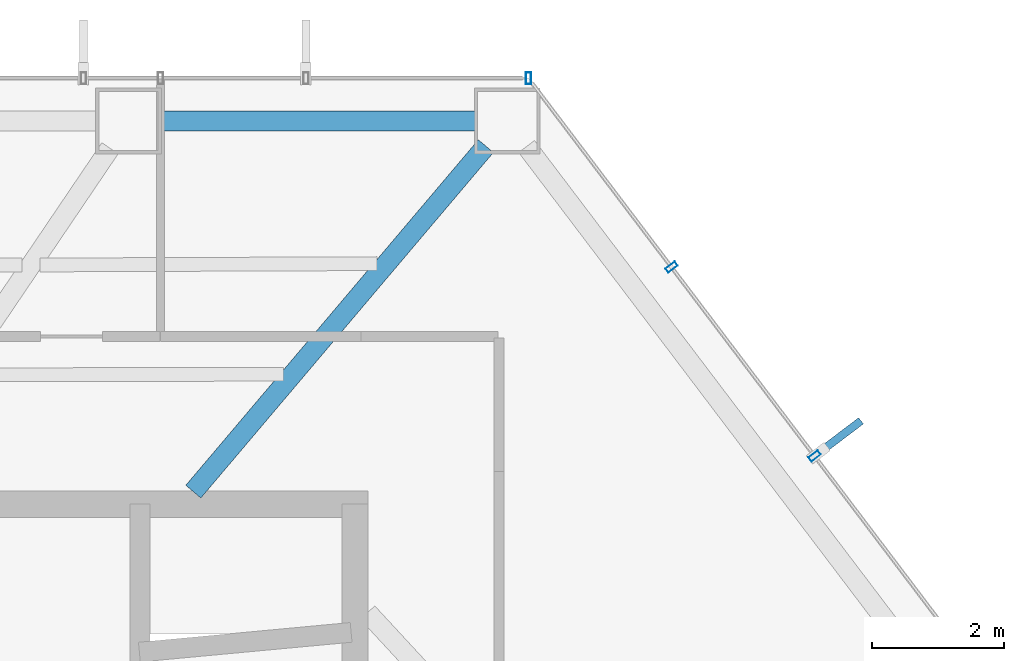
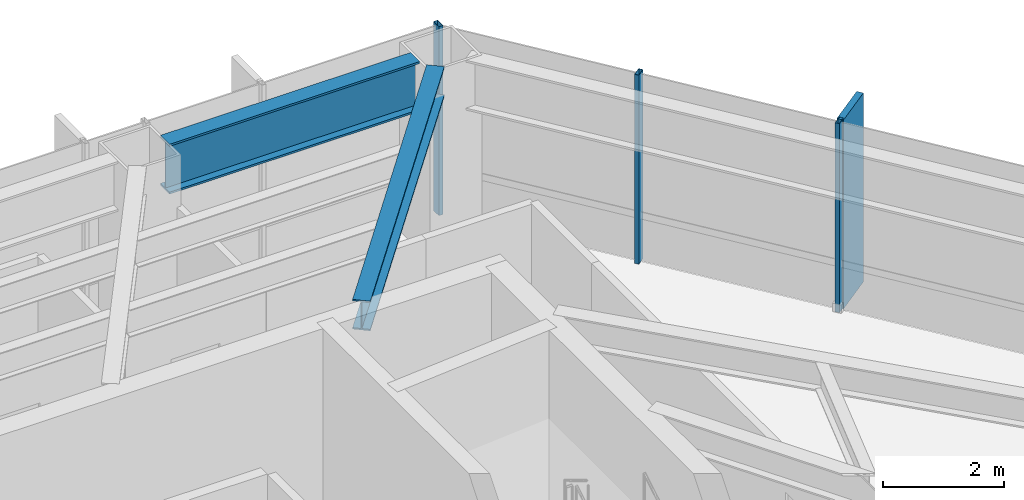
# One storey, part 20 of 25: 4 members, 2 beams, 2 elements without a shape of their own.
"""IFC4 building model written with IfcOpenShell, lengths in metres."""

from ifc_helpers import new_model, si_unit, direction, frame, origin, origin_2d, place, context, subcontext, project, spatial, rectangle, hollow_rectangle, i_section, extrude, material, layer, layer_set, material_profile, profile_set, type_object, element, aggregate, save


model = new_model("IFC4")

# Units and contexts
model_context = context("Model", 3, precision=1e-05, world=origin(), true_north=direction((0.0, 1.0)))
body_context = subcontext(model_context, "Body", "Model", "MODEL_VIEW")
ifc_project = project(units=[si_unit("LENGTHUNIT", "METRE"), si_unit("AREAUNIT", "SQUARE_METRE"), si_unit("VOLUMEUNIT", "CUBIC_METRE"), si_unit("PLANEANGLEUNIT", "RADIAN"), si_unit("MASSUNIT", "GRAM", prefix="KILO")], contexts=[model_context])

# Site, building, storey
site_placement = place(None, origin())
site = spatial("IfcSite", under=ifc_project, at=site_placement, CompositionType="ELEMENT")
building_placement = place(site_placement, origin())
building = spatial("IfcBuilding", under=site, at=building_placement, Name="Zarrinselat Tower", CompositionType="ELEMENT")
storey_placement = place(building_placement, frame((0.0, 0.0, 56.10009765625)))
storey = spatial("IfcBuildingStorey", under=building, at=storey_placement, Name="L13", CompositionType="ELEMENT", Elevation=56.10009765625)

# Beams
ifc_material_1 = material(Name="Steel S355J2", Category="steel")
ifc_material_profile_1 = material_profile(ifc_material_1, i_section(OverallWidth=0.300048828125, OverallDepth=0.60009765625, WebThickness=0.015380859375, FlangeThickness=0.030029296875, at=origin_2d()), Name="HEB 600")
ifc_profile_set_1 = profile_set([ifc_material_profile_1], Name="Steel S355J2")
beam_type_1 = type_object("IfcBeamType", Name="BM-HEB600", PredefinedType="BEAM", material=ifc_profile_set_1)
beam_1_placement = place(storey_placement, frame((45.800048828125, 43.639892578125, 3.52001953125), z_axis=(0.646218754894, 0.763152226508, 0.0), x_axis=(-0.763152226508, 0.646218754894, 0.0)))
element("IfcBeam", 1, at=beam_1_placement, inside=storey, type_object=beam_type_1, Name="L13 Radial Primary Girder RG01", PredefinedType="BEAM", context=body_context, shape_type="SweptSolid", body=[
    extrude(i_section(OverallWidth=0.300048828125, OverallDepth=0.60009765625, WebThickness=0.015380859375, FlangeThickness=0.030029296875, at=origin_2d()), origin(), (0.0, 0.0, 1.0), 6.8857421875),
])
ifc_material_2 = material(Name="Steel S460M", Category="steel")
ifc_material_profile_2 = material_profile(ifc_material_2, i_section(OverallWidth=0.302001953125, OverallDepth=1.008056640625, WebThickness=0.02099609375, FlangeThickness=0.0400390625, at=origin_2d()), Name="HEM 1000")
ifc_profile_set_2 = profile_set([ifc_material_profile_2], Name="Steel S460M")
beam_type_2 = type_object("IfcBeamType", Name="BM-HEM1000", PredefinedType="BEAM", material=ifc_profile_set_2)
beam_2_placement = place(storey_placement, frame((45.30224609375, 49.27783203125, 3.31591796875), z_axis=(1.0, 0.0, 0.0), x_axis=(0.0, 1.0, 0.0)))
element("IfcBeam", 2, at=beam_2_placement, inside=storey, type_object=beam_type_2, Name="L13 Perimeter Spandrel Girder SP01", PredefinedType="BEAM", context=body_context, shape_type="SweptSolid", body=[
    extrude(i_section(OverallWidth=0.302001953125, OverallDepth=1.008056640625, WebThickness=0.02099609375, FlangeThickness=0.0400390625, at=origin_2d()), origin(), (0.0, 0.0, 1.0), 4.783935546875),
])

# Curtain wall, member
ifc_material_3 = material(Name="Extruded Aluminium Alloy EN AW-6063 T6", Category="aluminium")
ifc_layer = layer(ifc_material_3, 0.18505859375)
ifc_layer_set = layer_set([ifc_layer], Name="Extruded Aluminium Alloy EN AW-6063 T6")
curtain_wall_type = type_object("IfcCurtainWallType", Name="CWS-OFF", PredefinedType="NOTDEFINED", material=ifc_layer_set)
curtain_wall_1_placement = place(storey_placement, origin())
curtain_wall_1 = element("IfcCurtainWall", 3, at=curtain_wall_1_placement, inside=storey, type_object=curtain_wall_type, Name="L13 Unitised Curtain Wall CW-L13-E01", PredefinedType="NOTDEFINED")
ifc_material_4 = material(Name="Extruded Aluminium Alloy EN AW-6063 T6", Category="aluminium")
ifc_material_profile_3 = material_profile(ifc_material_4, hollow_rectangle(XDim=0.080078125, YDim=0.179931640625, WallThickness=0.0048828125, at=origin_2d()), Name="RHS 180x80x5")
ifc_profile_set_3 = profile_set([ifc_material_profile_3], Name="Extruded Aluminium Alloy EN AW-6063 T6")
member_type_1 = type_object("IfcMemberType", Name="MEM-CW-MUL", PredefinedType="MULLION", material=ifc_profile_set_3)
member_1_placement = place(storey_placement, frame((50.897216796875, 49.927734375, 0.0), z_axis=(0.0, 0.0, 1.0), x_axis=(-1.0, 0.0, 0.0)))
member_1 = element("IfcMember", 4, at=member_1_placement, type_object=member_type_1, Name="CW-L13-E01 Mullion 0", PredefinedType="MULLION", context=body_context, shape_type="SweptSolid", body=[
    extrude(hollow_rectangle(XDim=0.080078125, YDim=0.179931640625, WallThickness=0.0048828125, at=origin_2d()), origin(), (0.0, 0.0, 1.0), 3.81982421875),
])
aggregate(curtain_wall_1, [member_1])

# Curtain wall, members
curtain_wall_2_placement = place(storey_placement, origin())
curtain_wall_2 = element("IfcCurtainWall", 5, at=curtain_wall_2_placement, inside=storey, type_object=curtain_wall_type, Name="L13 Unitised Curtain Wall CW-L13-E06", PredefinedType="NOTDEFINED")
member_2_placement = place(storey_placement, frame((55.249267578125, 44.18310546875, 0.0), z_axis=(0.0, 0.0, 1.0), x_axis=(-0.603856726294, 0.797092876715, 0.0)))
member_2 = element("IfcMember", 6, at=member_2_placement, type_object=member_type_1, Name="CW-L13-E06 Mullion 3", PredefinedType="MULLION", context=body_context, shape_type="SweptSolid", body=[
    extrude(hollow_rectangle(XDim=0.080078125, YDim=0.179931640625, WallThickness=0.0048828125, at=origin_2d()), origin(), (0.0, 0.0, 1.0), 3.81982421875),
])
member_3_placement = place(storey_placement, frame((53.0732421875, 47.055419921875, 0.0), z_axis=(0.0, 0.0, 1.0), x_axis=(-0.603856726294, 0.797092876715, 0.0)))
member_3 = element("IfcMember", 7, at=member_3_placement, type_object=member_type_1, Name="CW-L13-E06 Mullion 4", PredefinedType="MULLION", context=body_context, shape_type="SweptSolid", body=[
    extrude(hollow_rectangle(XDim=0.080078125, YDim=0.179931640625, WallThickness=0.0048828125, at=origin_2d()), origin(), (0.0, 0.0, 1.0), 3.81982421875),
])
ifc_material_5 = material(Name="Honed Cream Travertine Stone", Category="masonry")
ifc_material_profile_4 = material_profile(ifc_material_5, rectangle(XDim=0.1201171875, YDim=0.85009765625, at=origin_2d()), Name="FIN 850x120")
ifc_profile_set_4 = profile_set([ifc_material_profile_4], Name="Honed Cream Travertine Stone")
member_type_2 = type_object("IfcMemberType", Name="MEM-STONE-FIN", PredefinedType="USERDEFINED", material=ifc_profile_set_4)
member_4_placement = place(storey_placement, frame((55.615966796875, 44.460693359375, 0.0), z_axis=(0.0, 0.0, 1.0), x_axis=(0.603856726294, -0.797092876715, 0.0)))
member_4 = element("IfcMember", 8, at=member_4_placement, type_object=member_type_2, Name="L13 Stone Shading Fin CW-L13-E06-03", ObjectType="FIN", PredefinedType="USERDEFINED", context=body_context, shape_type="SweptSolid", body=[
    extrude(rectangle(XDim=0.1201171875, YDim=0.85009765625, at=origin_2d()), origin(), (0.0, 0.0, 1.0), 3.81982421875),
])
aggregate(curtain_wall_2, [member_2, member_4, member_3])

save(model, "model.ifc")
